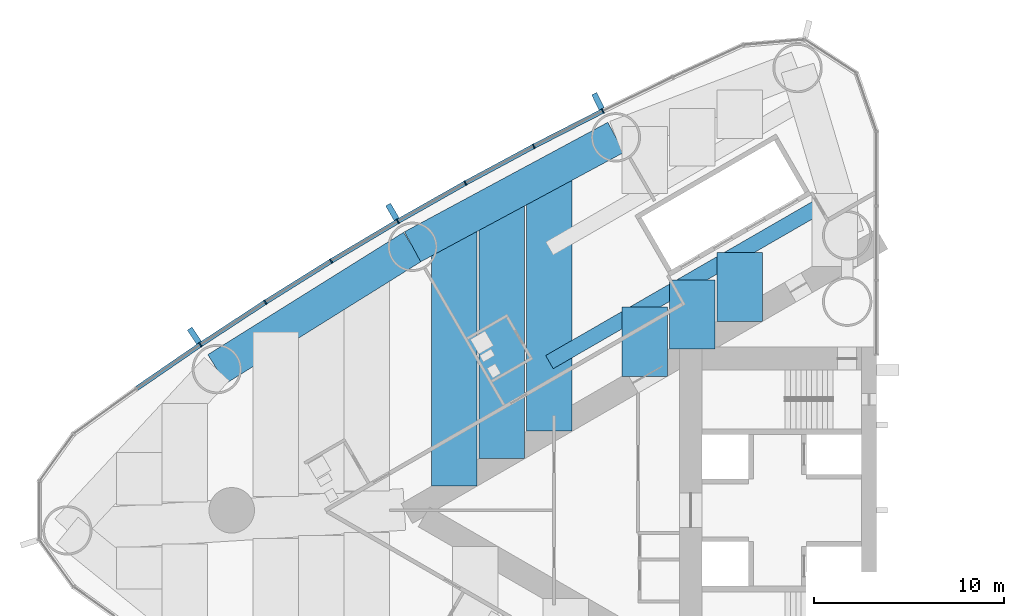
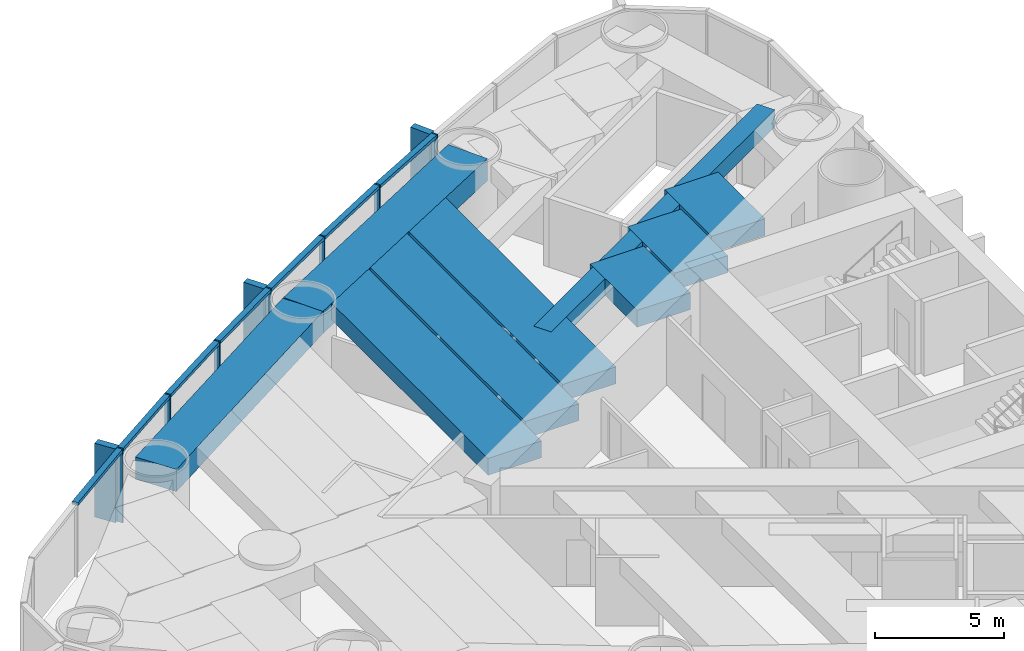
# One storey, part 4 of 18: 17 members, 9 beams, 1 element without a shape of its own.
"""IFC4 building model written with IfcOpenShell, lengths in metres."""

from ifc_helpers import new_model, si_unit, direction, frame, origin, origin_2d, place, context, subcontext, project, spatial, rectangle, hollow_rectangle, extrude, material, material_profile, profile_set, type_object, element, aggregate, save


model = new_model("IFC4")

# Units and contexts
model_context = context("Model", 3, precision=1e-05, world=origin(), true_north=direction((0.0, 1.0)))
body_context = subcontext(model_context, "Body", "Model", "MODEL_VIEW")
ifc_project = project(units=[si_unit("LENGTHUNIT", "METRE"), si_unit("AREAUNIT", "SQUARE_METRE"), si_unit("VOLUMEUNIT", "CUBIC_METRE"), si_unit("PLANEANGLEUNIT", "RADIAN"), si_unit("MASSUNIT", "GRAM", prefix="KILO")], contexts=[model_context])

# Site, building, storey
site_placement = place(None, origin())
site = spatial("IfcSite", under=ifc_project, at=site_placement, CompositionType="ELEMENT")
building_placement = place(site_placement, origin())
building = spatial("IfcBuilding", under=site, at=building_placement, Name="Lancet Gate Hotel", CompositionType="ELEMENT")
storey_placement = place(building_placement, frame((0.0, 0.0, 97.60009765625)))
storey = spatial("IfcBuildingStorey", under=building, at=storey_placement, Name="L25", CompositionType="ELEMENT", Elevation=97.60009765625)

# Curtain wall, members
ifc_material_1 = material(Name="Aluminium curtain wall", Category="aluminium")
curtain_wall_type = type_object("IfcCurtainWallType", Name="Tower unitised curtain wall", PredefinedType="USERDEFINED", material=ifc_material_1)
curtain_wall_placement = place(storey_placement, origin())
curtain_wall = element("IfcCurtainWall", 1, at=curtain_wall_placement, inside=storey, type_object=curtain_wall_type, Name="T1 L25 curtain wall 1", ObjectType="UNITISED CURTAIN WALL", PredefinedType="USERDEFINED")
ifc_material_2 = material(Name="Aluminium mullion", Category="aluminium")
ifc_material_profile_1 = material_profile(ifc_material_2, rectangle(XDim=0.06494140625, YDim=0.25, at=origin_2d()), Name="MULLION 65x250")
ifc_profile_set_1 = profile_set([ifc_material_profile_1], Name="Aluminium mullion")
member_type_1 = type_object("IfcMemberType", Name="Aluminium mullion 65x250", PredefinedType="MULLION", material=ifc_profile_set_1)
member_1_placement = place(storey_placement, frame((-41.935302734375, 21.053466796875, 0.0), z_axis=(0.0, 0.0, 1.0), x_axis=(-0.895339445458, -0.445384415317, 0.0)))
member_1 = element("IfcMember", 2, at=member_1_placement, type_object=member_type_1, Name="T1 L25 curtain wall 1 mullion 9", PredefinedType="MULLION", context=body_context, shape_type="SweptSolid", body=[
    extrude(rectangle(XDim=0.06494140625, YDim=0.25, at=origin_2d()), origin(), (0.0, 0.0, 1.0), 3.5),
])
member_2_placement = place(storey_placement, frame((-45.578857421875, 19.19189453125, 0.0), z_axis=(0.0, 0.0, 1.0), x_axis=(-0.885544335517, -0.46455487279, 0.0)))
member_2 = element("IfcMember", 3, at=member_2_placement, type_object=member_type_1, Name="T1 L25 curtain wall 1 mullion 10", PredefinedType="MULLION", context=body_context, shape_type="SweptSolid", body=[
    extrude(rectangle(XDim=0.06494140625, YDim=0.25, at=origin_2d()), origin(), (0.0, 0.0, 1.0), 3.5),
])
member_3_placement = place(storey_placement, frame((-49.181640625, 17.252197265625, 0.0), z_axis=(0.0, 0.0, 1.0), x_axis=(-0.875338819507, -0.48351003202, 0.0)))
member_3 = element("IfcMember", 4, at=member_3_placement, type_object=member_type_1, Name="T1 L25 curtain wall 1 mullion 11", PredefinedType="MULLION", context=body_context, shape_type="SweptSolid", body=[
    extrude(rectangle(XDim=0.06494140625, YDim=0.25, at=origin_2d()), origin(), (0.0, 0.0, 1.0), 3.5),
])
member_4_placement = place(storey_placement, frame((-52.74169921875, 15.2353515625, 0.0), z_axis=(0.0, 0.0, 1.0), x_axis=(-0.86472762718, -0.502241108226, 0.0)))
member_4 = element("IfcMember", 5, at=member_4_placement, type_object=member_type_1, Name="T1 L25 curtain wall 1 mullion 12", PredefinedType="MULLION", context=body_context, shape_type="SweptSolid", body=[
    extrude(rectangle(XDim=0.06494140625, YDim=0.25, at=origin_2d()), origin(), (0.0, 0.0, 1.0), 3.5),
])
member_5_placement = place(storey_placement, frame((-56.257568359375, 13.142333984375, 0.0), z_axis=(0.0, 0.0, 1.0), x_axis=(-0.853715676299, -0.52073942048, 0.0)))
member_5 = element("IfcMember", 6, at=member_5_placement, type_object=member_type_1, Name="T1 L25 curtain wall 1 mullion 13", PredefinedType="MULLION", context=body_context, shape_type="SweptSolid", body=[
    extrude(rectangle(XDim=0.06494140625, YDim=0.25, at=origin_2d()), origin(), (0.0, 0.0, 1.0), 3.5),
])
member_6_placement = place(storey_placement, frame((-59.7275390625, 10.974365234375, 0.0), z_axis=(0.0, 0.0, 1.0), x_axis=(-0.84230807036, -0.538996395727, 0.0)))
member_6 = element("IfcMember", 7, at=member_6_placement, type_object=member_type_1, Name="T1 L25 curtain wall 1 mullion 14", PredefinedType="MULLION", context=body_context, shape_type="SweptSolid", body=[
    extrude(rectangle(XDim=0.06494140625, YDim=0.25, at=origin_2d()), origin(), (0.0, 0.0, 1.0), 3.5),
])
member_7_placement = place(storey_placement, frame((-63.14990234375, 8.73193359375, 0.0), z_axis=(0.0, 0.0, 1.0), x_axis=(-0.830510096234, -0.557003572747, 0.0)))
member_7 = element("IfcMember", 8, at=member_7_placement, type_object=member_type_1, Name="T1 L25 curtain wall 1 mullion 15", PredefinedType="MULLION", context=body_context, shape_type="SweptSolid", body=[
    extrude(rectangle(XDim=0.06494140625, YDim=0.25, at=origin_2d()), origin(), (0.0, 0.0, 1.0), 3.5),
])
ifc_material_3 = material(Name="Aluminium transom", Category="aluminium")
ifc_material_profile_2 = material_profile(ifc_material_3, rectangle(XDim=0.25, YDim=0.14990234375, at=origin_2d()), Name="TRANSOM 250x150")
ifc_profile_set_2 = profile_set([ifc_material_profile_2], Name="Aluminium transom")
member_type_2 = type_object("IfcMemberType", Name="Aluminium transom 250x150", PredefinedType="USERDEFINED", material=ifc_profile_set_2)
member_8_placement = place(storey_placement, frame((-41.96435546875, 21.038818359375, 3.4248046875), z_axis=(-0.89047617483, -0.455029869415, 0.0), x_axis=(0.455029869415, -0.89047617483, 0.0)))
member_8 = element("IfcMember", 9, at=member_8_placement, type_object=member_type_2, Name="T1 L25 curtain wall 1 transom 9", ObjectType="TRANSOM", PredefinedType="USERDEFINED", context=body_context, shape_type="SweptSolid", body=[
    extrude(rectangle(XDim=0.25, YDim=0.14990234375, at=origin_2d()), origin(), (0.0, 0.0, 1.0), 4.026611328125),
])
member_9_placement = place(storey_placement, frame((-45.607421875, 19.176513671875, 3.4248046875), z_axis=(-0.880498353192, -0.474049206335, 0.0), x_axis=(0.474049206335, -0.880498353192, 0.0)))
member_9 = element("IfcMember", 10, at=member_9_placement, type_object=member_type_2, Name="T1 L25 curtain wall 1 transom 10", ObjectType="TRANSOM", PredefinedType="USERDEFINED", context=body_context, shape_type="SweptSolid", body=[
    extrude(rectangle(XDim=0.25, YDim=0.14990234375, at=origin_2d()), origin(), (0.0, 0.0, 1.0), 4.02685546875),
])
member_10_placement = place(storey_placement, frame((-49.2099609375, 17.236083984375, 3.4248046875), z_axis=(-0.870091531013, -0.492890178091, 0.0), x_axis=(0.492890178091, -0.870091531013, 0.0)))
member_10 = element("IfcMember", 11, at=member_10_placement, type_object=member_type_2, Name="T1 L25 curtain wall 1 transom 11", ObjectType="TRANSOM", PredefinedType="USERDEFINED", context=body_context, shape_type="SweptSolid", body=[
    extrude(rectangle(XDim=0.25, YDim=0.14990234375, at=origin_2d()), origin(), (0.0, 0.0, 1.0), 4.026611328125),
])
member_11_placement = place(storey_placement, frame((-52.76953125, 15.21875, 3.4248046875), z_axis=(-0.859285270342, -0.511496651186, 0.0), x_axis=(0.511496651186, -0.859285270342, 0.0)))
member_11 = element("IfcMember", 12, at=member_11_placement, type_object=member_type_2, Name="T1 L25 curtain wall 1 transom 12", ObjectType="TRANSOM", PredefinedType="USERDEFINED", context=body_context, shape_type="SweptSolid", body=[
    extrude(rectangle(XDim=0.25, YDim=0.14990234375, at=origin_2d()), origin(), (0.0, 0.0, 1.0), 4.026611328125),
])
member_12_placement = place(storey_placement, frame((-56.28515625, 13.125244140625, 3.4248046875), z_axis=(-0.848049393821, -0.529917187531, 0.0), x_axis=(0.529917187531, -0.848049393821, 0.0)))
member_12 = element("IfcMember", 13, at=member_12_placement, type_object=member_type_2, Name="T1 L25 curtain wall 1 transom 13", ObjectType="TRANSOM", PredefinedType="USERDEFINED", context=body_context, shape_type="SweptSolid", body=[
    extrude(rectangle(XDim=0.25, YDim=0.14990234375, at=origin_2d()), origin(), (0.0, 0.0, 1.0), 4.026611328125),
])
member_13_placement = place(storey_placement, frame((-59.754638671875, 10.95654296875, 3.4248046875), z_axis=(-0.83645442085, -0.548036496815, 0.0), x_axis=(0.548036496815, -0.83645442085, 0.0)))
member_13 = element("IfcMember", 14, at=member_13_placement, type_object=member_type_2, Name="T1 L25 curtain wall 1 transom 14", ObjectType="TRANSOM", PredefinedType="USERDEFINED", context=body_context, shape_type="SweptSolid", body=[
    extrude(rectangle(XDim=0.25, YDim=0.14990234375, at=origin_2d()), origin(), (0.0, 0.0, 1.0), 4.026611328125),
])
member_14_placement = place(storey_placement, frame((-63.1767578125, 8.713623046875, 3.4248046875), z_axis=(-0.824455665247, -0.565926546508, 0.0), x_axis=(0.565926546508, -0.824455665247, 0.0)))
member_14 = element("IfcMember", 15, at=member_14_placement, type_object=member_type_2, Name="T1 L25 curtain wall 1 transom 15", ObjectType="TRANSOM", PredefinedType="USERDEFINED", context=body_context, shape_type="SweptSolid", body=[
    extrude(rectangle(XDim=0.25, YDim=0.14990234375, at=origin_2d()), origin(), (0.0, 0.0, 1.0), 4.026611328125),
])

# Beams
ifc_material_4 = material(Name="Concrete C50/60", Category="concrete")
ifc_material_profile_3 = material_profile(ifc_material_4, rectangle(XDim=1.800048828125, YDim=1.050048828125, at=origin_2d()), Name="RC 1800x1050")
ifc_profile_set_3 = profile_set([ifc_material_profile_3], Name="Concrete C50/60")
beam_type_1 = type_object("IfcBeamType", Name="Edge beam RC 1800x1050", PredefinedType="SPANDREL", material=ifc_profile_set_3)
for number, where, z_axis, x_axis, name in (
    (16, (-41.244873046875, 19.665771484375, 2.724853515625), (-0.880492350889, -0.474060354835, 0.0), (0.474060354835, -0.880492350889, 0.0), "T1 edge beam EB1 L25"),
    (17, (-51.963134765625, 13.89501953125, 2.724853515625), (-0.848062521637, -0.529896177939, 0.0), (0.529896177939, -0.848062521637, 0.0), "T1 edge beam EB1 L25"),
):
    element("IfcBeam", number, at=place(storey_placement, frame(where, z_axis=z_axis, x_axis=x_axis)), inside=storey, type_object=beam_type_1, Name=name, PredefinedType="SPANDREL", context=body_context, shape_type="SweptSolid", body=[
        extrude(rectangle(XDim=1.800048828125, YDim=1.050048828125, at=origin_2d()), origin(), (0.0, 0.0, 1.0), 12.173095703125),
    ])

# Member
ifc_material_5 = material(Name="Precast concrete C50/60", Category="concrete")
ifc_material_profile_4 = material_profile(ifc_material_5, rectangle(XDim=0.300048828125, YDim=0.89990234375, at=origin_2d()), Name="FIN 300x900")
ifc_profile_set_4 = profile_set([ifc_material_profile_4], Name="Precast concrete C50/60")
member_type_3 = type_object("IfcMemberType", Name="Exposed concrete fin 300x900", PredefinedType="USERDEFINED", material=ifc_profile_set_4)
member_15_placement = place(storey_placement, frame((-42.19140625, 21.568359375, 0.0), z_axis=(0.0, 0.0, 1.0), x_axis=(-0.895339445458, -0.445384415317, 0.0)))
member_15 = element("IfcMember", 18, at=member_15_placement, type_object=member_type_3, Name="T1 L25 curtain wall 1 fin 9", ObjectType="FIN", PredefinedType="USERDEFINED", context=body_context, shape_type="SweptSolid", body=[
    extrude(rectangle(XDim=0.300048828125, YDim=0.89990234375, at=origin_2d()), origin(), (0.0, 0.0, 1.0), 3.5),
])

member_16_placement = place(storey_placement, frame((-53.030517578125, 15.732666015625, 0.0), z_axis=(0.0, 0.0, 1.0), x_axis=(-0.86472762718, -0.502241108226, 0.0)))
member_16 = element("IfcMember", 19, at=member_16_placement, type_object=member_type_3, Name="T1 L25 curtain wall 1 fin 12", ObjectType="FIN", PredefinedType="USERDEFINED", context=body_context, shape_type="SweptSolid", body=[
    extrude(rectangle(XDim=0.300048828125, YDim=0.89990234375, at=origin_2d()), origin(), (0.0, 0.0, 1.0), 3.5),
])

member_17_placement = place(storey_placement, frame((-63.47021484375, 9.20947265625, 0.0), z_axis=(0.0, 0.0, 1.0), x_axis=(-0.830510096234, -0.557003572747, 0.0)))
member_17 = element("IfcMember", 20, at=member_17_placement, type_object=member_type_3, Name="T1 L25 curtain wall 1 fin 15", ObjectType="FIN", PredefinedType="USERDEFINED", context=body_context, shape_type="SweptSolid", body=[
    extrude(rectangle(XDim=0.300048828125, YDim=0.89990234375, at=origin_2d()), origin(), (0.0, 0.0, 1.0), 3.5),
])

aggregate(curtain_wall, [member_1, member_15, member_2, member_3, member_4, member_16, member_5, member_6, member_7, member_17, member_8, member_9, member_10, member_11, member_12, member_13, member_14])

# Beams
ifc_material_6 = material(Name="Concrete C50/60", Category="concrete")
ifc_material_profile_5 = material_profile(ifc_material_6, rectangle(XDim=2.39990234375, YDim=0.800048828125, at=origin_2d()), Name="RC 2400x800")
ifc_profile_set_5 = profile_set([ifc_material_profile_5], Name="Concrete C50/60")
beam_type_2 = type_object("IfcBeamType", Name="Floor beam RC 2400x800", PredefinedType="BEAM", material=ifc_profile_set_5)
beam_1_placement = place(storey_placement, frame((-44.747802734375, 17.77978515625, 2.849853515625), z_axis=(0.0, -1.0, 0.0), x_axis=(1.0, 0.0, 0.0)))
element("IfcBeam", 21, at=beam_1_placement, inside=storey, type_object=beam_type_2, Name="T1 floor beam F09S L25", PredefinedType="BEAM", context=body_context, shape_type="SweptSolid", body=[
    extrude(rectangle(XDim=2.39990234375, YDim=0.800048828125, at=origin_2d()), origin(), (0.0, 0.0, 1.0), 13.611083984375),
])
beam_2_placement = place(storey_placement, frame((-47.254638671875, 16.43017578125, 2.849853515625), z_axis=(0.0, -1.0, 0.0), x_axis=(1.0, 0.0, 0.0)))
element("IfcBeam", 22, at=beam_2_placement, inside=storey, type_object=beam_type_2, Name="T1 floor beam F10S L25", PredefinedType="BEAM", context=body_context, shape_type="SweptSolid", body=[
    extrude(rectangle(XDim=2.39990234375, YDim=0.800048828125, at=origin_2d()), origin(), (0.0, 0.0, 1.0), 13.708740234375),
])
beam_3_placement = place(storey_placement, frame((-49.761474609375, 15.08056640625, 2.849853515625), z_axis=(0.0, -1.0, 0.0), x_axis=(1.0, 0.0, 0.0)))
element("IfcBeam", 23, at=beam_3_placement, inside=storey, type_object=beam_type_2, Name="T1 floor beam F12S L25", PredefinedType="BEAM", context=body_context, shape_type="SweptSolid", body=[
    extrude(rectangle(XDim=2.39990234375, YDim=0.800048828125, at=origin_2d()), origin(), (0.0, 0.0, 1.0), 13.806396484375),
])
beam_4_placement = place(storey_placement, frame((-34.720458984375, 13.603759765625, 2.849853515625), z_axis=(0.0, -1.0, 0.0), x_axis=(1.0, 0.0, 0.0)))
element("IfcBeam", 24, at=beam_4_placement, inside=storey, type_object=beam_type_2, Name="T1 floor beam F04SB L25", PredefinedType="BEAM", context=body_context, shape_type="SweptSolid", body=[
    extrude(rectangle(XDim=2.39990234375, YDim=0.800048828125, at=origin_2d()), origin(), (0.0, 0.0, 1.0), 3.645751953125),
])
beam_5_placement = place(storey_placement, frame((-37.227294921875, 12.15625, 2.849853515625), z_axis=(0.0, -1.0, 0.0), x_axis=(1.0, 0.0, 0.0)))
element("IfcBeam", 25, at=beam_5_placement, inside=storey, type_object=beam_type_2, Name="T1 floor beam F05SB L25", PredefinedType="BEAM", context=body_context, shape_type="SweptSolid", body=[
    extrude(rectangle(XDim=2.39990234375, YDim=0.800048828125, at=origin_2d()), origin(), (0.0, 0.0, 1.0), 3.6455078125),
])
beam_6_placement = place(storey_placement, frame((-39.734130859375, 10.708740234375, 2.849853515625), z_axis=(0.0, -1.0, 0.0), x_axis=(1.0, 0.0, 0.0)))
element("IfcBeam", 26, at=beam_6_placement, inside=storey, type_object=beam_type_2, Name="T1 floor beam F07SB L25", PredefinedType="BEAM", context=body_context, shape_type="SweptSolid", body=[
    extrude(rectangle(XDim=2.39990234375, YDim=0.800048828125, at=origin_2d()), origin(), (0.0, 0.0, 1.0), 3.645263671875),
])
ifc_material_7 = material(Name="Steel S460QL", Category="steel")
ifc_material_profile_6 = material_profile(ifc_material_7, hollow_rectangle(XDim=0.800048828125, YDim=0.800048828125, WallThickness=0.080078125, at=origin_2d()), Name="BOX 800x800x80")
ifc_profile_set_6 = profile_set([ifc_material_profile_6], Name="Steel S460QL")
beam_type_3 = type_object("IfcBeamType", Name="Trimmer beam BOX 800x800x80", PredefinedType="BEAM", material=ifc_profile_set_6)
beam_7_placement = place(storey_placement, frame((-29.706787109375, 16.49853515625, 2.849853515625), z_axis=(-0.866003462672, -0.500038001195, 0.0), x_axis=(0.500038001195, -0.866003462672, 0.0)))
element("IfcBeam", 27, at=beam_7_placement, inside=storey, type_object=beam_type_3, Name="T1 trimmer beam TR02S L25", PredefinedType="BEAM", context=body_context, shape_type="SweptSolid", body=[
    extrude(hollow_rectangle(XDim=0.800048828125, YDim=0.800048828125, WallThickness=0.080078125, at=origin_2d()), origin(), (0.0, 0.0, 1.0), 17.368408203125),
])

save(model, "model.ifc")
